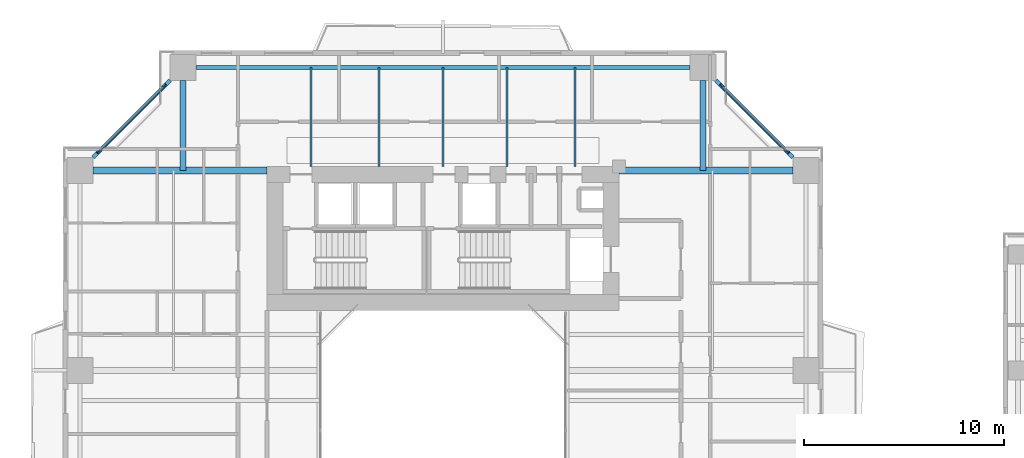
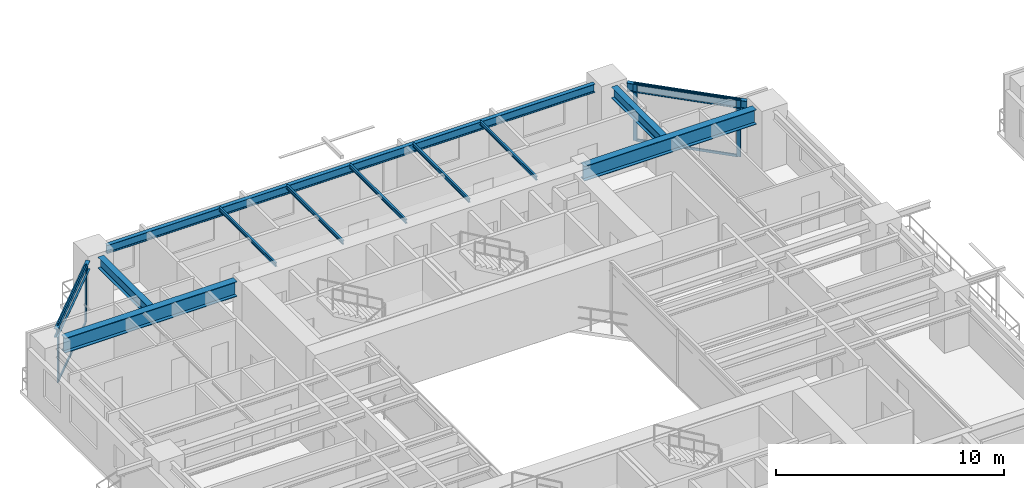
# One storey, part 9 of 24: 12 beams, 8 members, 2 elements without a shape of their own.
"""IFC4 building model written with IfcOpenShell, lengths in metres."""

import ifcopenshell
import ifcopenshell.guid

model = None  # the IFC model being written
_history = None  # IfcOwnerHistory: only IFC2X3 demands one
_inside = {}  # id of a spatial element -> (the spatial element, [elements in it])
_under = {}  # id of a project, library or spatial element -> (it, [spatial elements below it])
_declared = {}  # id of a project -> (the project, [libraries it declares])
_typed = {}  # id of a type object -> (the type object, [elements of that type])
_made_of = {}  # id of a material, layer set ... -> (it, [elements and type objects made of it])


def new_model(schema):
    """Start an empty IFC model of exactly this schema.

    Asked for "IFC4X3", IfcOpenShell would pick the latest addendum, in which some entities
    have other attributes; the version numbers below select the first issue.
    IFC2X3 requires an IfcOwnerHistory on every rooted entity: one is made here for all.
    """
    global model, _history
    if schema == "IFC4X3":
        model = ifcopenshell.file(schema_version=(4, 3, 0, 0))
    else:
        model = ifcopenshell.file(schema=schema)
    _inside.clear()
    _under.clear()
    _declared.clear()
    _typed.clear()
    _made_of.clear()
    _history = None
    if model.schema == "IFC2X3":
        org = make("IfcOrganization", Name="unknown")
        user = make(
            "IfcPersonAndOrganization",
            ThePerson=make("IfcPerson", FamilyName="unknown"),
            TheOrganization=org,
        )
        app = make(
            "IfcApplication",
            ApplicationDeveloper=org,
            Version="unknown",
            ApplicationFullName="unknown",
            ApplicationIdentifier="unknown",
        )
        _history = make(
            "IfcOwnerHistory",
            OwningUser=user,
            OwningApplication=app,
            ChangeAction="ADDED",
            CreationDate=0,
        )
    return model


def make(cls, **values):
    """One entity of the class cls with the attributes given. An attribute that is None is left unset."""
    return model.create_entity(
        cls, **{name: value for name, value in values.items() if value is not None}
    )


def rooted(cls, **values):
    """An entity with a GlobalId (a new one), such as an element, a storey or a relation."""
    return make(cls, GlobalId=ifcopenshell.guid.new(), OwnerHistory=_history, **values)


def si_unit(unit_type, name, prefix=None):
    """IfcSIUnit, for example si_unit("LENGTHUNIT", "METRE", prefix="MILLI")."""
    return make("IfcSIUnit", UnitType=unit_type, Prefix=prefix, Name=name)


def assignment(units):
    """IfcUnitAssignment: the units of a project."""
    return None if units is None else make("IfcUnitAssignment", Units=units)


def point(xyz):
    """IfcCartesianPoint."""
    return None if xyz is None else make("IfcCartesianPoint", Coordinates=xyz)


def direction(xyz):
    """IfcDirection."""
    return None if xyz is None else make("IfcDirection", DirectionRatios=xyz)


def frame(location, z_axis=None, x_axis=None):
    """IfcAxis2Placement3D, a coordinate frame: its origin and axes. An axis left out is left unset."""
    return make(
        "IfcAxis2Placement3D",
        Location=point(location),
        Axis=direction(z_axis),
        RefDirection=direction(x_axis),
    )


def frame_2d(location, x_axis=None):
    """IfcAxis2Placement2D, a coordinate frame in the plane: its origin and x axis."""
    return make(
        "IfcAxis2Placement2D", Location=point(location), RefDirection=direction(x_axis)
    )


def origin():
    """The frame at (0, 0, 0) with its axes left unset."""
    return frame((0.0, 0.0, 0.0))


def origin_2d():
    """The frame at (0, 0) in the plane with its x axis left unset."""
    return frame_2d((0.0, 0.0))


def place(relative_to, where):
    """IfcLocalPlacement: puts the frame where relative to a parent placement (None: the world)."""
    return make(
        "IfcLocalPlacement", PlacementRelTo=relative_to, RelativePlacement=where
    )


def context(
    kind, dimensions, precision=None, world=None, true_north=None, identifier=None
):
    """IfcGeometricRepresentationContext, for example the 3D "Model" context."""
    return make(
        "IfcGeometricRepresentationContext",
        ContextIdentifier=identifier,
        ContextType=kind,
        CoordinateSpaceDimension=dimensions,
        Precision=precision,
        WorldCoordinateSystem=world,
        TrueNorth=true_north,
    )


def subcontext(parent, identifier, kind, view, scale=None):
    """IfcGeometricRepresentationSubContext, for example "Body" below "Model"."""
    return make(
        "IfcGeometricRepresentationSubContext",
        ContextIdentifier=identifier,
        ContextType=kind,
        ParentContext=parent,
        TargetScale=scale,
        TargetView=view,
    )


def project(units=None, contexts=None):
    """IfcProject with its units and contexts."""
    return rooted(
        "IfcProject",
        Name="project",
        RepresentationContexts=contexts,
        UnitsInContext=assignment(units),
    )


def spatial(cls, under=None, at=None, **own):
    """A site, building, storey or space (cls), placed at a placement, below another one or the project."""
    s = rooted(cls, ObjectPlacement=at, **own)
    if under is not None:
        _under.setdefault(under.id(), (under, []))[1].append(s)
    return s


def profile(cls, at=None, kind="AREA", **sizes):
    """A parametric profile (cls). Its sizes go by their IFC names, for example OverallWidth=200.0."""
    return make(cls, ProfileType=kind, Position=at, **sizes)


def rectangle(**sizes):
    """IfcRectangleProfileDef."""
    return profile("IfcRectangleProfileDef", **sizes)


def i_section(**sizes):
    """IfcIShapeProfileDef."""
    return profile("IfcIShapeProfileDef", **sizes)


def extrude(swept, where, along, depth):
    """IfcExtrudedAreaSolid: the profile swept, set in the frame where, extruded along a direction by depth."""
    return make(
        "IfcExtrudedAreaSolid",
        SweptArea=swept,
        Position=where,
        ExtrudedDirection=direction(along),
        Depth=depth,
    )


def shape(context_of_items, identifier, shape_type, items):
    """IfcShapeRepresentation: the items that make up one representation, for example the "Body"."""
    return make(
        "IfcShapeRepresentation",
        ContextOfItems=context_of_items,
        RepresentationIdentifier=identifier,
        RepresentationType=shape_type,
        Items=items,
    )


def source(mapping_origin, context_of_items, identifier, shape_type, items):
    """IfcRepresentationMap: a shape defined once, which mapped items show again and again."""
    return make(
        "IfcRepresentationMap",
        MappingOrigin=mapping_origin,
        MappedRepresentation=shape(context_of_items, identifier, shape_type, items),
    )


def transform(
    local_origin,
    x_axis=None,
    y_axis=None,
    z_axis=None,
    scale=None,
    scale2=None,
    scale3=None,
    uniform=True,
):
    """IfcCartesianTransformationOperator3D, or its non-uniform kind. x_axis, y_axis, z_axis: its Axis1, 2, 3."""
    if uniform:
        return make(
            "IfcCartesianTransformationOperator3D",
            Axis1=direction(x_axis),
            Axis2=direction(y_axis),
            LocalOrigin=point(local_origin),
            Scale=scale,
            Axis3=direction(z_axis),
        )
    return make(
        "IfcCartesianTransformationOperator3DnonUniform",
        Axis1=direction(x_axis),
        Axis2=direction(y_axis),
        LocalOrigin=point(local_origin),
        Scale=scale,
        Axis3=direction(z_axis),
        Scale2=scale2,
        Scale3=scale3,
    )


def mapped(mapping_source, mapping_target):
    """IfcMappedItem: shows the shape of a source again, moved by a transform."""
    return make(
        "IfcMappedItem", MappingSource=mapping_source, MappingTarget=mapping_target
    )


def material(Name=None, Category=None):
    """IfcMaterial."""
    return make("IfcMaterial", Name=Name, Category=Category)


def layer(
    of_material, thickness, ventilated=None, Name=None, Category=None, Priority=None
):
    """IfcMaterialLayer: one layer of a wall or slab, of a material (None: an air gap)."""
    return make(
        "IfcMaterialLayer",
        Material=of_material,
        LayerThickness=thickness,
        IsVentilated=ventilated,
        Name=Name,
        Category=Category,
        Priority=Priority,
    )


def layer_set(layers, Name=None):
    """IfcMaterialLayerSet."""
    return make("IfcMaterialLayerSet", MaterialLayers=layers, LayerSetName=Name)


def material_profile(
    of_material, cross_section, Name=None, Category=None, Priority=None
):
    """IfcMaterialProfile: a cross section and its material."""
    return make(
        "IfcMaterialProfile",
        Name=Name,
        Material=of_material,
        Profile=cross_section,
        Priority=Priority,
        Category=Category,
    )


def profile_set(profiles, Name=None, composite=None):
    """IfcMaterialProfileSet."""
    return make(
        "IfcMaterialProfileSet",
        Name=Name,
        MaterialProfiles=profiles,
        CompositeProfile=composite,
    )


def made_of(thing, what):
    """Note that an element or type object is made of a material, layer set ...; save() writes the relation."""
    if what is not None:
        _made_of.setdefault(what.id(), (what, []))[1].append(thing)
    return thing


def type_object(cls, material=None, **own):
    """A type object (cls), such as IfcWallType, which elements share."""
    return made_of(rooted(cls, **own), material)


def element(
    cls,
    number,
    at=None,
    inside=None,
    cuts=None,
    type_object=None,
    material=None,
    context=None,
    identifier="Body",
    shape_type=None,
    held_by="IfcProductDefinitionShape",
    body=None,
    shapes=None,
    **own,
):
    """One element of the class cls, such as IfcWall. Its Tag is "e" and its number.

    at: its placement. inside: the storey or other place that contains it. cuts: it is an
    opening in that element (IfcRelVoidsElement). A single representation is given by context,
    identifier, shape_type and body (its items); several are given by shapes. held_by: the class
    of the entity that holds the representations. save() writes the other relations.
    """
    e = rooted(cls, Tag="e%d" % number, ObjectPlacement=at, **own)
    if body is not None:
        shapes = [shape(context, identifier, shape_type, body)]
    if shapes is not None:
        e.Representation = make(held_by, Representations=shapes)
    if inside is not None:
        _inside.setdefault(inside.id(), (inside, []))[1].append(e)
    if cuts is not None:
        rooted(
            "IfcRelVoidsElement", RelatingBuildingElement=cuts, RelatedOpeningElement=e
        )
    if type_object is not None:
        _typed.setdefault(type_object.id(), (type_object, []))[1].append(e)
    return made_of(e, material)


def aggregate(whole, parts):
    """IfcRelAggregates: a whole, such as a stair, and the parts it consists of."""
    return rooted("IfcRelAggregates", RelatingObject=whole, RelatedObjects=parts)


def save(model, path):
    """Write the relations noted so far, then the file.

    IfcRelAggregates (storeys below a building ...), IfcRelContainedInSpatialStructure (elements
    in a storey), IfcRelDefinesByType, IfcRelAssociatesMaterial and IfcRelDeclares: one each for
    every whole, place, type object, material and project.
    """
    for whole, parts in _under.values():
        aggregate(whole, parts)
    for where, things in _inside.values():
        rooted(
            "IfcRelContainedInSpatialStructure",
            RelatedElements=things,
            RelatingStructure=where,
        )
    for kind, things in _typed.values():
        rooted("IfcRelDefinesByType", RelatedObjects=things, RelatingType=kind)
    for what, things in _made_of.values():
        rooted("IfcRelAssociatesMaterial", RelatedObjects=things, RelatingMaterial=what)
    for by, libraries in _declared.values():
        rooted("IfcRelDeclares", RelatingContext=by, RelatedDefinitions=libraries)
    model.write(path)


model = new_model("IFC4")

# Units and contexts
model_context = context("Model", 3, precision=1e-05, world=origin(), true_north=direction((0.0, 1.0)))
body_context = subcontext(model_context, "Body", "Model", "MODEL_VIEW")
ifc_project = project(units=[si_unit("LENGTHUNIT", "METRE"), si_unit("AREAUNIT", "SQUARE_METRE"), si_unit("VOLUMEUNIT", "CUBIC_METRE"), si_unit("PLANEANGLEUNIT", "RADIAN"), si_unit("MASSUNIT", "GRAM", prefix="KILO"), si_unit("THERMODYNAMICTEMPERATUREUNIT", "KELVIN"), si_unit("POWERUNIT", "WATT")], contexts=[model_context])

# Site, building, storey
site_placement = place(None, origin())
site = spatial("IfcSite", under=ifc_project, at=site_placement, CompositionType="ELEMENT")
building_placement = place(site_placement, origin())
building = spatial("IfcBuilding", under=site, at=building_placement, Name="Qiaomeng Ring Towers", CompositionType="ELEMENT")
storey_placement = place(building_placement, frame((0.0, 0.0, 63.25)))
storey = spatial("IfcBuildingStorey", under=building, at=storey_placement, Name="L17", CompositionType="ELEMENT", Elevation=63.25)

# Beams
ifc_material_1 = material(Name="Steel Q355B", Category="steel")
ifc_material_profile_1 = material_profile(ifc_material_1, i_section(OverallWidth=0.199951171875, OverallDepth=0.449951171875, WebThickness=0.009033203125, FlangeThickness=0.013916015625, FilletRadius=0.01806640625, at=origin_2d()), Name="HN 450x200x9x14")
ifc_profile_set_1 = profile_set([ifc_material_profile_1], Name="Steel Q355B")
beam_type_1 = type_object("IfcBeamType", Name="STR-BM-HN450", PredefinedType="SPANDREL", material=ifc_profile_set_1)
shared_shape_1 = source(origin(), body_context, "Body", "SweptSolid", [
    extrude(i_section(OverallWidth=0.199951171875, OverallDepth=0.449951171875, WebThickness=0.009033203125, FlangeThickness=0.013916015625, FilletRadius=0.01806640625, at=origin_2d()), origin(), (0.0, 0.0, 1.0), 24.7021484375),
])
beam_placement = place(storey_placement, frame((31.35107421875, 41.14990234375, 2.844970703125), z_axis=(-1.0, 0.0, 0.0), x_axis=(0.0, -1.0, 0.0)))
element("IfcBeam", 1, at=beam_placement, inside=storey, type_object=beam_type_1, Name="L17 beam STR-SP-L17-T1-N2-N1", PredefinedType="SPANDREL", context=body_context, shape_type="MappedRepresentation", body=[
    mapped(shared_shape_1, transform((0.0, 0.0, 0.0), x_axis=(1.0, 0.0, 0.0), y_axis=(0.0, 1.0, 0.0), z_axis=(0.0, 0.0, 1.0), scale=1.0)),
])
shared_shape_2 = source(origin(), body_context, "Body", "SweptSolid", [
    extrude(i_section(OverallWidth=0.199951171875, OverallDepth=0.449951171875, WebThickness=0.009033203125, FlangeThickness=0.013916015625, FilletRadius=0.01806640625, at=origin_2d()), origin(), (0.0, 0.0, 1.0), 5.446533203125),
])
for number, where, z_axis, x_axis, name in (
    (2, (36.500732421875, 36.6494140625, 2.844970703125), (-0.707106781187, 0.707106781187, 0.0), (-0.707106781187, -0.707106781187, 0.0), "L17 beam STR-SP-L17-T1-E4-N2"),
    (3, (5.3505859375, 40.500732421875, 2.844970703125), (-0.707106781187, -0.707106781187, 0.0), (0.707106781187, -0.707106781187, 0.0), "L17 beam STR-SP-L17-T1-N1-W4"),
):
    element("IfcBeam", number, at=place(storey_placement, frame(where, z_axis=z_axis, x_axis=x_axis)), inside=storey, type_object=beam_type_1, Name=name, PredefinedType="SPANDREL", context=body_context, shape_type="MappedRepresentation", body=[
        mapped(shared_shape_2, transform((0.0, 0.0, 0.0), x_axis=(1.0, 0.0, 0.0), y_axis=(0.0, 1.0, 0.0), z_axis=(0.0, 0.0, 1.0), scale=1.0)),
    ])
ifc_material_2 = material(Name="Steel Q390GJC", Category="steel")
ifc_material_profile_2 = material_profile(ifc_material_2, i_section(OverallWidth=0.35009765625, OverallDepth=0.800048828125, WebThickness=0.01611328125, FlangeThickness=0.028076171875, at=origin_2d()), Name="WH 800x350x16x28")
ifc_profile_set_2 = profile_set([ifc_material_profile_2], Name="Steel Q390GJC")
beam_type_2 = type_object("IfcBeamType", Name="STR-BM-WH800", PredefinedType="BEAM", material=ifc_profile_set_2)
shared_shape_3 = source(origin(), body_context, "Body", "SweptSolid", [
    extrude(i_section(OverallWidth=0.35009765625, OverallDepth=0.800048828125, WebThickness=0.01611328125, FlangeThickness=0.028076171875, at=origin_2d()), origin(), (0.0, 0.0, 1.0), 8.700927734375),
])
for number, where, z_axis, x_axis, name in (
    (4, (1.4990234375, 36.0, 2.669921875), (1.0, 0.0, 0.0), (0.0, 1.0, 0.0), "L17 beam STR-BM-L17-T1-RAD-W4"),
    (5, (27.800048828125, 36.0, 2.669921875), (1.0, 0.0, 0.0), (0.0, 1.0, 0.0), "L17 beam STR-BM-L17-T1-RAD-E4"),
):
    element("IfcBeam", number, at=place(storey_placement, frame(where, z_axis=z_axis, x_axis=x_axis)), inside=storey, type_object=beam_type_2, Name=name, PredefinedType="BEAM", context=body_context, shape_type="MappedRepresentation", body=[
        mapped(shared_shape_3, transform((0.0, 0.0, 0.0), x_axis=(1.0, 0.0, 0.0), y_axis=(0.0, 1.0, 0.0), z_axis=(0.0, 0.0, 1.0), scale=1.0)),
    ])
ifc_material_profile_3 = material_profile(ifc_material_1, i_section(OverallWidth=0.300048828125, OverallDepth=0.587890625, WebThickness=0.011962890625, FlangeThickness=0.02001953125, FilletRadius=0.028076171875, at=origin_2d()), Name="HM 588x300x12x20")
ifc_profile_set_3 = profile_set([ifc_material_profile_3], Name="Steel Q355B")
beam_type_3 = type_object("IfcBeamType", Name="STR-BM-HM588", PredefinedType="BEAM", material=ifc_profile_set_3)
shared_shape_4 = source(origin(), body_context, "Body", "SweptSolid", [
    extrude(i_section(OverallWidth=0.300048828125, OverallDepth=0.587890625, WebThickness=0.011962890625, FlangeThickness=0.02001953125, FilletRadius=0.028076171875, at=origin_2d()), origin(), (0.0, 0.0, 1.0), 4.5009765625),
])
for number, where, z_axis, x_axis, name in (
    (6, (6.0, 40.5009765625, 2.77587890625), (0.0, -1.0, 0.0), (1.0, 0.0, 0.0), "L17 beam STR-BM-L17-T1-RAD-N1"),
    (7, (32.0, 40.5009765625, 2.77587890625), (0.0, -1.0, 0.0), (1.0, 0.0, 0.0), "L17 beam STR-BM-L17-T1-RAD-N2"),
):
    element("IfcBeam", number, at=place(storey_placement, frame(where, z_axis=z_axis, x_axis=x_axis)), inside=storey, type_object=beam_type_3, Name=name, PredefinedType="BEAM", context=body_context, shape_type="MappedRepresentation", body=[
        mapped(shared_shape_4, transform((0.0, 0.0, 0.0), x_axis=(1.0, 0.0, 0.0), y_axis=(0.0, 1.0, 0.0), z_axis=(0.0, 0.0, 1.0), scale=1.0)),
    ])
ifc_material_profile_4 = material_profile(ifc_material_1, i_section(OverallWidth=0.10009765625, OverallDepth=0.199951171875, WebThickness=0.005615234375, FlangeThickness=0.008056640625, FilletRadius=0.010986328125, at=origin_2d()), Name="HN 200x100x5.5x8")
ifc_profile_set_4 = profile_set([ifc_material_profile_4], Name="Steel Q355B")
beam_type_4 = type_object("IfcBeamType", Name="STR-BM-HN200", PredefinedType="JOIST", material=ifc_profile_set_4)
shared_shape_5 = source(origin(), body_context, "Body", "SweptSolid", [
    extrude(i_section(OverallWidth=0.10009765625, OverallDepth=0.199951171875, WebThickness=0.005615234375, FlangeThickness=0.008056640625, FilletRadius=0.010986328125, at=origin_2d()), origin(), (0.0, 0.0, 1.0), 4.949951171875),
])
for number, where, z_axis, x_axis, name in (
    (8, (12.39990234375, 36.199951171875, 2.969970703125), (0.0, 1.0, 0.0), (-1.0, 0.0, 0.0), "L17 beam STR-JST-L17-T1N-1"),
    (9, (15.800048828125, 36.199951171875, 2.969970703125), (0.0, 1.0, 0.0), (-1.0, 0.0, 0.0), "L17 beam STR-JST-L17-T1N-2"),
    (10, (19.0, 36.199951171875, 2.969970703125), (0.0, 1.0, 0.0), (-1.0, 0.0, 0.0), "L17 beam STR-JST-L17-T1N-3"),
    (11, (22.199951171875, 36.199951171875, 2.969970703125), (0.0, 1.0, 0.0), (-1.0, 0.0, 0.0), "L17 beam STR-JST-L17-T1N-4"),
    (12, (25.60009765625, 36.199951171875, 2.969970703125), (0.0, 1.0, 0.0), (-1.0, 0.0, 0.0), "L17 beam STR-JST-L17-T1N-5"),
):
    element("IfcBeam", number, at=place(storey_placement, frame(where, z_axis=z_axis, x_axis=x_axis)), inside=storey, type_object=beam_type_4, Name=name, PredefinedType="JOIST", context=body_context, shape_type="MappedRepresentation", body=[
        mapped(shared_shape_5, transform((0.0, 0.0, 0.0), x_axis=(1.0, 0.0, 0.0), y_axis=(0.0, 1.0, 0.0), z_axis=(0.0, 0.0, 1.0), scale=1.0)),
    ])

# Curtain wall, members
ifc_material_3 = material(Name="Fluorocarbon dark-grey aluminium", Category="aluminium")
ifc_layer = layer(ifc_material_3, 0.159912109375, Name="Fluorocarbon dark-grey aluminium")
ifc_layer_set = layer_set([ifc_layer], Name="Fluorocarbon dark-grey aluminium")
curtain_wall_type = type_object("IfcCurtainWallType", Name="ARC-CW-2", PredefinedType="NOTDEFINED", material=ifc_layer_set)
curtain_wall_1_placement = place(storey_placement, origin())
curtain_wall_1 = element("IfcCurtainWall", 13, at=curtain_wall_1_placement, inside=storey, type_object=curtain_wall_type, Name="L17 Curtain Wall CW2", PredefinedType="NOTDEFINED")
ifc_material_profile_5 = material_profile(ifc_material_3, rectangle(XDim=0.070068359375, YDim=0.179931640625, at=origin_2d()), Name="ALU MULL 70x180")
ifc_profile_set_5 = profile_set([ifc_material_profile_5], Name="Fluorocarbon dark-grey aluminium")
member_type_1 = type_object("IfcMemberType", Name="ARC-CWM-160", PredefinedType="MULLION", material=ifc_profile_set_5)
shared_shape_6 = source(origin(), body_context, "Body", "SweptSolid", [
    extrude(rectangle(XDim=0.070068359375, YDim=0.179931640625, at=origin_2d()), origin(), (0.0, 0.0, 1.0), 3.070068359375),
])
member_1_placement = place(storey_placement, frame((36.2353515625, 36.914794921875, 0.0), z_axis=(0.0, 0.0, 1.0), x_axis=(-0.707106781187, -0.707106781187, 0.0)))
member_1 = element("IfcMember", 14, at=member_1_placement, type_object=member_type_1, Name="CW2 mullion 1", PredefinedType="MULLION", context=body_context, shape_type="MappedRepresentation", body=[
    mapped(shared_shape_6, transform((0.0, 0.0, 0.0), x_axis=(1.0, 0.0, 0.0), y_axis=(0.0, 1.0, 0.0), z_axis=(0.0, 0.0, 1.0), scale=1.0)),
])
member_2_placement = place(storey_placement, frame((32.914794921875, 40.2353515625, 0.0), z_axis=(0.0, 0.0, 1.0), x_axis=(-0.707106781187, -0.707106781187, 0.0)))
member_2 = element("IfcMember", 15, at=member_2_placement, type_object=member_type_1, Name="CW2 mullion 2", PredefinedType="MULLION", context=body_context, shape_type="MappedRepresentation", body=[
    mapped(shared_shape_6, transform((0.0, 0.0, 0.0), x_axis=(1.0, 0.0, 0.0), y_axis=(0.0, 1.0, 0.0), z_axis=(0.0, 0.0, 1.0), scale=1.0)),
])

curtain_wall_2_placement = place(storey_placement, origin())
curtain_wall_2 = element("IfcCurtainWall", 16, at=curtain_wall_2_placement, inside=storey, type_object=curtain_wall_type, Name="L17 Curtain Wall CW2", PredefinedType="NOTDEFINED")
member_3_placement = place(storey_placement, frame((5.085205078125, 40.2353515625, 0.0), z_axis=(0.0, 0.0, 1.0), x_axis=(0.707106781187, -0.707106781187, 0.0)))
member_3 = element("IfcMember", 17, at=member_3_placement, type_object=member_type_1, Name="CW2 mullion 1", PredefinedType="MULLION", context=body_context, shape_type="MappedRepresentation", body=[
    mapped(shared_shape_6, transform((0.0, 0.0, 0.0), x_axis=(1.0, 0.0, 0.0), y_axis=(0.0, 1.0, 0.0), z_axis=(0.0, 0.0, 1.0), scale=1.0)),
])
member_4_placement = place(storey_placement, frame((1.7646484375, 36.914794921875, 0.0), z_axis=(0.0, 0.0, 1.0), x_axis=(0.707106781187, -0.707106781187, 0.0)))
member_4 = element("IfcMember", 18, at=member_4_placement, type_object=member_type_1, Name="CW2 mullion 2", PredefinedType="MULLION", context=body_context, shape_type="MappedRepresentation", body=[
    mapped(shared_shape_6, transform((0.0, 0.0, 0.0), x_axis=(1.0, 0.0, 0.0), y_axis=(0.0, 1.0, 0.0), z_axis=(0.0, 0.0, 1.0), scale=1.0)),
])

# Member
ifc_material_profile_6 = material_profile(ifc_material_3, rectangle(XDim=0.06494140625, YDim=0.1298828125, at=origin_2d()), Name="ALU TRAN 65x130")
ifc_profile_set_6 = profile_set([ifc_material_profile_6], Name="Fluorocarbon dark-grey aluminium")
member_type_2 = type_object("IfcMemberType", Name="ARC-CWT-120", PredefinedType="USERDEFINED", material=ifc_profile_set_6)
shared_shape_7 = source(origin(), body_context, "Body", "SweptSolid", [
    extrude(rectangle(XDim=0.06494140625, YDim=0.1298828125, at=origin_2d()), origin(), (0.0, 0.0, 1.0), 4.6259765625),
])
member_5_placement = place(storey_placement, frame((36.21044921875, 36.939453125, 0.032470703125), z_axis=(-0.707106781187, 0.707106781187, 0.0), x_axis=(-0.707106781187, -0.707106781187, 0.0)))
member_5 = element("IfcMember", 19, at=member_5_placement, type_object=member_type_2, Name="CW2 transom 1.1", ObjectType="TRANSOM", PredefinedType="USERDEFINED", context=body_context, shape_type="MappedRepresentation", body=[
    mapped(shared_shape_7, transform((0.0, 0.0, 0.0), x_axis=(1.0, 0.0, 0.0), y_axis=(0.0, 1.0, 0.0), z_axis=(0.0, 0.0, 1.0), scale=1.0)),
])

member_6_placement = place(storey_placement, frame((36.21044921875, 36.939453125, 3.03759765625), z_axis=(-0.707106781187, 0.707106781187, 0.0), x_axis=(-0.707106781187, -0.707106781187, 0.0)))
member_6 = element("IfcMember", 20, at=member_6_placement, type_object=member_type_2, Name="CW2 transom 1.2", ObjectType="TRANSOM", PredefinedType="USERDEFINED", context=body_context, shape_type="MappedRepresentation", body=[
    mapped(shared_shape_7, transform((0.0, 0.0, 0.0), x_axis=(1.0, 0.0, 0.0), y_axis=(0.0, 1.0, 0.0), z_axis=(0.0, 0.0, 1.0), scale=1.0)),
])

aggregate(curtain_wall_1, [member_1, member_2, member_5, member_6])

member_7_placement = place(storey_placement, frame((5.060546875, 40.21044921875, 0.032470703125), z_axis=(-0.707106781187, -0.707106781187, 0.0), x_axis=(0.707106781187, -0.707106781187, 0.0)))
member_7 = element("IfcMember", 21, at=member_7_placement, type_object=member_type_2, Name="CW2 transom 1.1", ObjectType="TRANSOM", PredefinedType="USERDEFINED", context=body_context, shape_type="MappedRepresentation", body=[
    mapped(shared_shape_7, transform((0.0, 0.0, 0.0), x_axis=(1.0, 0.0, 0.0), y_axis=(0.0, 1.0, 0.0), z_axis=(0.0, 0.0, 1.0), scale=1.0)),
])

member_8_placement = place(storey_placement, frame((5.060546875, 40.21044921875, 3.03759765625), z_axis=(-0.707106781187, -0.707106781187, 0.0), x_axis=(0.707106781187, -0.707106781187, 0.0)))
member_8 = element("IfcMember", 22, at=member_8_placement, type_object=member_type_2, Name="CW2 transom 1.2", ObjectType="TRANSOM", PredefinedType="USERDEFINED", context=body_context, shape_type="MappedRepresentation", body=[
    mapped(shared_shape_7, transform((0.0, 0.0, 0.0), x_axis=(1.0, 0.0, 0.0), y_axis=(0.0, 1.0, 0.0), z_axis=(0.0, 0.0, 1.0), scale=1.0)),
])

aggregate(curtain_wall_2, [member_3, member_4, member_7, member_8])

save(model, "model.ifc")
